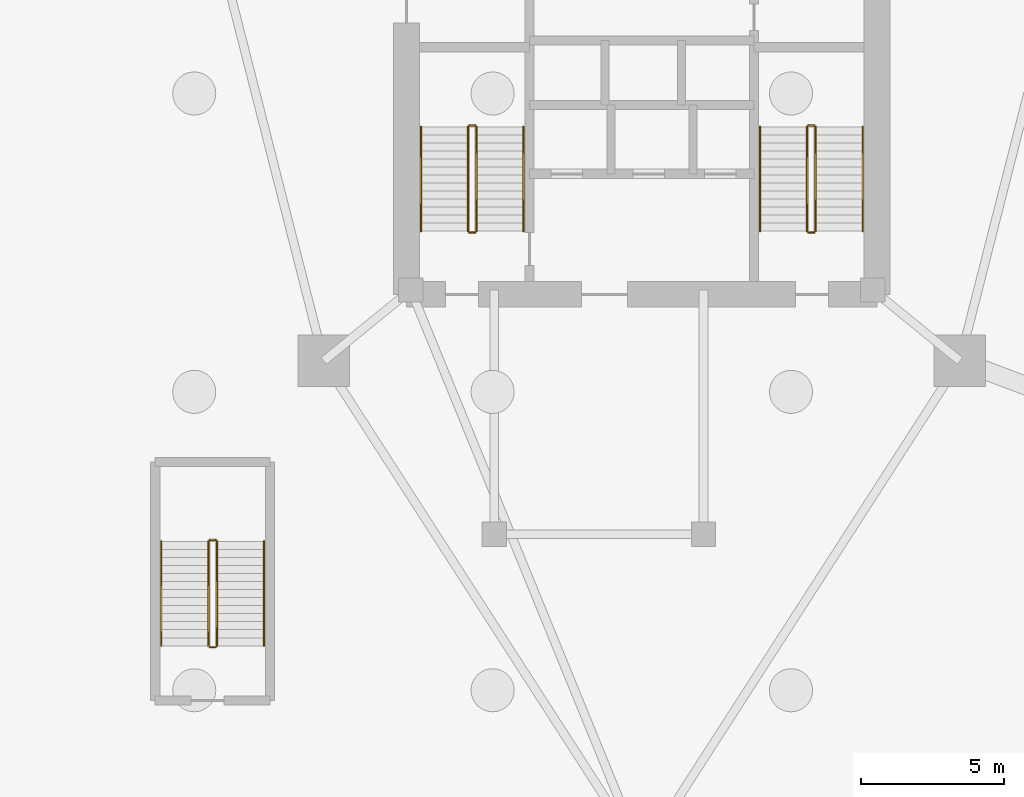
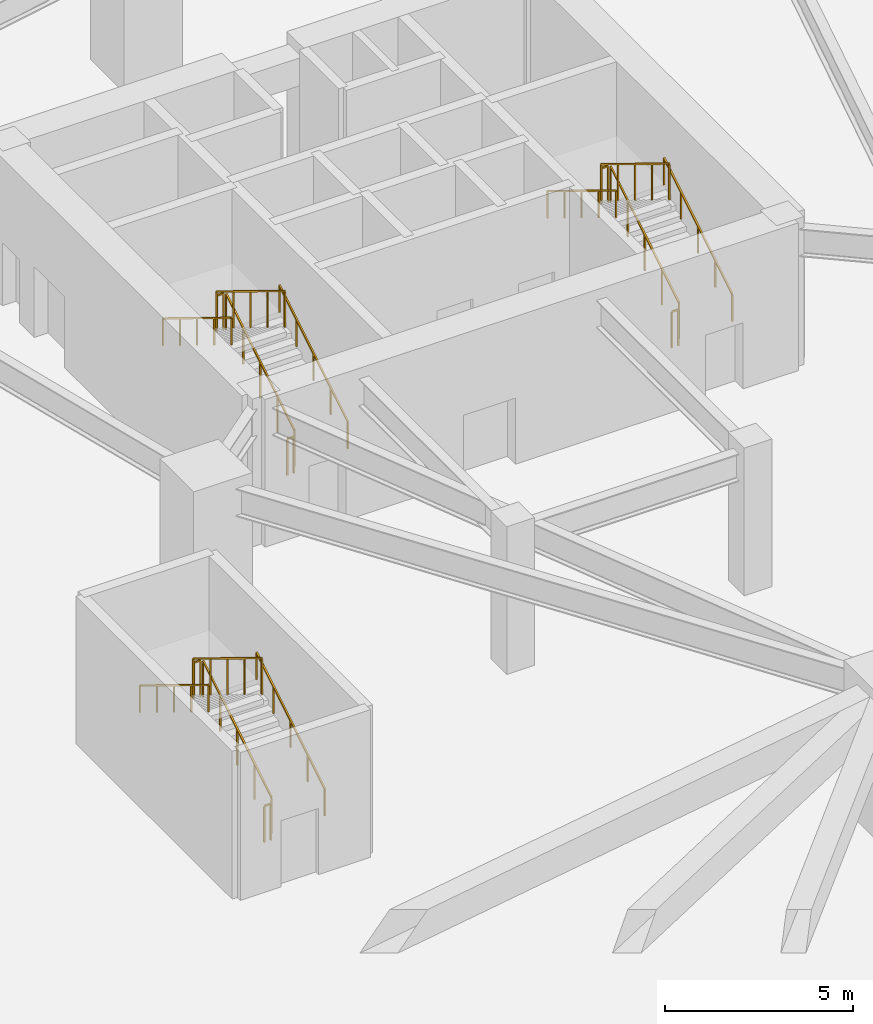
# One storey, part 5 of 5: 18 railings.
"""IFC4 building model written with IfcOpenShell, lengths in metres."""

from ifc_helpers import new_model, si_unit, direction, frame, origin, origin_2d, place, context, subcontext, project, spatial, rectangle, extrude, material, type_object, element, save


model = new_model("IFC4")

# Units and contexts
model_context = context("Model", 3, precision=1e-05, world=origin(), true_north=direction((0.0, 1.0)))
body_context = subcontext(model_context, "Body", "Model", "MODEL_VIEW")
ifc_project = project(units=[si_unit("LENGTHUNIT", "METRE"), si_unit("AREAUNIT", "SQUARE_METRE"), si_unit("VOLUMEUNIT", "CUBIC_METRE"), si_unit("PLANEANGLEUNIT", "RADIAN"), si_unit("MASSUNIT", "GRAM", prefix="KILO")], contexts=[model_context])

# Site, building, storey
site_placement = place(None, origin())
site = spatial("IfcSite", under=ifc_project, at=site_placement, CompositionType="ELEMENT")
building_placement = place(site_placement, origin())
building = spatial("IfcBuilding", under=site, at=building_placement, Name="Talyreon Biosciences Tower", CompositionType="ELEMENT")
storey_placement = place(building_placement, frame((0.0, 0.0, -9.60009765625)))
storey = spatial("IfcBuildingStorey", under=building, at=storey_placement, Name="B2", CompositionType="ELEMENT", Elevation=-9.60009765625)

# Railings
ifc_material_1 = material(Name="Brushed stainless-steel tubular handrail", Category="steel")
railing_type_1 = type_object("IfcRailingType", Name="StairWallHandrail_900", PredefinedType="HANDRAIL", material=ifc_material_1)
railing_1_placement = place(storey_placement, frame((61.8798828125, 63.39990234375, 0.171630859375)))
element("IfcRailing", 1, at=railing_1_placement, inside=storey, type_object=railing_type_1, Name="B2 ST-1 stair handrail 1", PredefinedType="HANDRAIL", context=body_context, shape_type="SweptSolid", body=[
    extrude(rectangle(XDim=0.048095703125, YDim=0.048095703125, at=origin_2d()), frame((0.0, 0.0, 0.8759765625), z_axis=(0.0, 0.852865859571, 0.52213008492), x_axis=(-1.0, 0.0, 0.0)), (0.0, 0.0, 1.0), 4.26806640625),
    extrude(rectangle(XDim=0.0419921875, YDim=0.0419921875, at=origin_2d()), origin(), (0.0, 0.0, 1.0), 0.851806640625),
    extrude(rectangle(XDim=0.0419921875, YDim=0.0419921875, at=origin_2d()), frame((0.0, 0.91015625, 0.55712890625)), (0.0, 0.0, 1.0), 0.851806640625),
    extrude(rectangle(XDim=0.0419921875, YDim=0.0419921875, at=origin_2d()), frame((0.0, 1.820068359375, 1.1142578125)), (0.0, 0.0, 1.0), 0.851806640625),
    extrude(rectangle(XDim=0.0419921875, YDim=0.0419921875, at=origin_2d()), frame((0.0, 2.72998046875, 1.67138671875)), (0.0, 0.0, 1.0), 0.851806640625),
    extrude(rectangle(XDim=0.0419921875, YDim=0.0419921875, at=origin_2d()), frame((0.0, 3.64013671875, 2.228515625)), (0.0, 0.0, 1.0), 0.851806640625),
])
railing_2_placement = place(storey_placement, frame((58.300048828125, 67.0400390625, 2.571533203125)))
element("IfcRailing", 2, at=railing_2_placement, inside=storey, type_object=railing_type_1, Name="B2 ST-1 stair handrail 2", PredefinedType="HANDRAIL", context=body_context, shape_type="SweptSolid", body=[
    extrude(rectangle(XDim=0.048095703125, YDim=0.048095703125, at=origin_2d()), frame((0.0, 0.0, 0.8759765625), z_axis=(0.0, -0.852865859571, 0.52213008492), x_axis=(1.0, 0.0, 0.0)), (0.0, 0.0, 1.0), 4.26806640625),
    extrude(rectangle(XDim=0.0419921875, YDim=0.0419921875, at=origin_2d()), origin(), (0.0, 0.0, 1.0), 0.851806640625),
    extrude(rectangle(XDim=0.0419921875, YDim=0.0419921875, at=origin_2d()), frame((0.0, -0.91015625, 0.55712890625)), (0.0, 0.0, 1.0), 0.851806640625),
    extrude(rectangle(XDim=0.0419921875, YDim=0.0419921875, at=origin_2d()), frame((0.0, -1.820068359375, 1.1142578125)), (0.0, 0.0, 1.0), 0.851806640625),
    extrude(rectangle(XDim=0.0419921875, YDim=0.0419921875, at=origin_2d()), frame((0.0, -2.72998046875, 1.67138671875)), (0.0, 0.0, 1.0), 0.851806640625),
    extrude(rectangle(XDim=0.0419921875, YDim=0.0419921875, at=origin_2d()), frame((0.0, -3.64013671875, 2.228515625)), (0.0, 0.0, 1.0), 0.851806640625),
])
railing_3_placement = place(storey_placement, frame((73.699951171875, 63.39990234375, 0.171630859375)))
element("IfcRailing", 3, at=railing_3_placement, inside=storey, type_object=railing_type_1, Name="B2 ST-2 stair handrail 1", PredefinedType="HANDRAIL", context=body_context, shape_type="SweptSolid", body=[
    extrude(rectangle(XDim=0.048095703125, YDim=0.048095703125, at=origin_2d()), frame((0.0, 0.0, 0.8759765625), z_axis=(0.0, 0.852865859571, 0.52213008492), x_axis=(-1.0, 0.0, 0.0)), (0.0, 0.0, 1.0), 4.26806640625),
    extrude(rectangle(XDim=0.0419921875, YDim=0.0419921875, at=origin_2d()), origin(), (0.0, 0.0, 1.0), 0.851806640625),
    extrude(rectangle(XDim=0.0419921875, YDim=0.0419921875, at=origin_2d()), frame((0.0, 0.91015625, 0.55712890625)), (0.0, 0.0, 1.0), 0.851806640625),
    extrude(rectangle(XDim=0.0419921875, YDim=0.0419921875, at=origin_2d()), frame((0.0, 1.820068359375, 1.1142578125)), (0.0, 0.0, 1.0), 0.851806640625),
    extrude(rectangle(XDim=0.0419921875, YDim=0.0419921875, at=origin_2d()), frame((0.0, 2.72998046875, 1.67138671875)), (0.0, 0.0, 1.0), 0.851806640625),
    extrude(rectangle(XDim=0.0419921875, YDim=0.0419921875, at=origin_2d()), frame((0.0, 3.64013671875, 2.228515625)), (0.0, 0.0, 1.0), 0.851806640625),
])
railing_4_placement = place(storey_placement, frame((70.1201171875, 67.0400390625, 2.571533203125)))
element("IfcRailing", 4, at=railing_4_placement, inside=storey, type_object=railing_type_1, Name="B2 ST-2 stair handrail 2", PredefinedType="HANDRAIL", context=body_context, shape_type="SweptSolid", body=[
    extrude(rectangle(XDim=0.048095703125, YDim=0.048095703125, at=origin_2d()), frame((0.0, 0.0, 0.8759765625), z_axis=(0.0, -0.852865859571, 0.52213008492), x_axis=(1.0, 0.0, 0.0)), (0.0, 0.0, 1.0), 4.26806640625),
    extrude(rectangle(XDim=0.0419921875, YDim=0.0419921875, at=origin_2d()), origin(), (0.0, 0.0, 1.0), 0.851806640625),
    extrude(rectangle(XDim=0.0419921875, YDim=0.0419921875, at=origin_2d()), frame((0.0, -0.91015625, 0.55712890625)), (0.0, 0.0, 1.0), 0.851806640625),
    extrude(rectangle(XDim=0.0419921875, YDim=0.0419921875, at=origin_2d()), frame((0.0, -1.820068359375, 1.1142578125)), (0.0, 0.0, 1.0), 0.851806640625),
    extrude(rectangle(XDim=0.0419921875, YDim=0.0419921875, at=origin_2d()), frame((0.0, -2.72998046875, 1.67138671875)), (0.0, 0.0, 1.0), 0.851806640625),
    extrude(rectangle(XDim=0.0419921875, YDim=0.0419921875, at=origin_2d()), frame((0.0, -3.64013671875, 2.228515625)), (0.0, 0.0, 1.0), 0.851806640625),
])
railing_5_placement = place(storey_placement, frame((52.830078125, 48.949951171875, 0.171630859375)))
element("IfcRailing", 5, at=railing_5_placement, inside=storey, type_object=railing_type_1, Name="B2 ST-3 stair handrail 1", PredefinedType="HANDRAIL", context=body_context, shape_type="SweptSolid", body=[
    extrude(rectangle(XDim=0.048095703125, YDim=0.048095703125, at=origin_2d()), frame((0.0, 0.0, 0.8759765625), z_axis=(0.0, 0.852865859571, 0.52213008492), x_axis=(-1.0, 0.0, 0.0)), (0.0, 0.0, 1.0), 4.26806640625),
    extrude(rectangle(XDim=0.0419921875, YDim=0.0419921875, at=origin_2d()), origin(), (0.0, 0.0, 1.0), 0.851806640625),
    extrude(rectangle(XDim=0.0419921875, YDim=0.0419921875, at=origin_2d()), frame((0.0, 0.91015625, 0.55712890625)), (0.0, 0.0, 1.0), 0.851806640625),
    extrude(rectangle(XDim=0.0419921875, YDim=0.0419921875, at=origin_2d()), frame((0.0, 1.820068359375, 1.1142578125)), (0.0, 0.0, 1.0), 0.851806640625),
    extrude(rectangle(XDim=0.0419921875, YDim=0.0419921875, at=origin_2d()), frame((0.0, 2.72998046875, 1.67138671875)), (0.0, 0.0, 1.0), 0.851806640625),
    extrude(rectangle(XDim=0.0419921875, YDim=0.0419921875, at=origin_2d()), frame((0.0, 3.64013671875, 2.228515625)), (0.0, 0.0, 1.0), 0.851806640625),
])
railing_6_placement = place(storey_placement, frame((49.25, 52.590087890625, 2.571533203125)))
element("IfcRailing", 6, at=railing_6_placement, inside=storey, type_object=railing_type_1, Name="B2 ST-3 stair handrail 2", PredefinedType="HANDRAIL", context=body_context, shape_type="SweptSolid", body=[
    extrude(rectangle(XDim=0.048095703125, YDim=0.048095703125, at=origin_2d()), frame((0.0, 0.0, 0.8759765625), z_axis=(0.0, -0.852865859571, 0.52213008492), x_axis=(1.0, 0.0, 0.0)), (0.0, 0.0, 1.0), 4.26806640625),
    extrude(rectangle(XDim=0.0419921875, YDim=0.0419921875, at=origin_2d()), origin(), (0.0, 0.0, 1.0), 0.851806640625),
    extrude(rectangle(XDim=0.0419921875, YDim=0.0419921875, at=origin_2d()), frame((0.0, -0.91015625, 0.55712890625)), (0.0, 0.0, 1.0), 0.851806640625),
    extrude(rectangle(XDim=0.0419921875, YDim=0.0419921875, at=origin_2d()), frame((0.0, -1.820068359375, 1.1142578125)), (0.0, 0.0, 1.0), 0.851806640625),
    extrude(rectangle(XDim=0.0419921875, YDim=0.0419921875, at=origin_2d()), frame((0.0, -2.72998046875, 1.67138671875)), (0.0, 0.0, 1.0), 0.851806640625),
    extrude(rectangle(XDim=0.0419921875, YDim=0.0419921875, at=origin_2d()), frame((0.0, -3.64013671875, 2.228515625)), (0.0, 0.0, 1.0), 0.851806640625),
])
ifc_material_2 = material(Name="Painted galvanised steel post-and-rail balustrade", Category="steel")
railing_type_2 = type_object("IfcRailingType", Name="TerraceStairGuard_1200", PredefinedType="GUARDRAIL", material=ifc_material_2)
railing_7_placement = place(storey_placement, frame((60.239990234375, 63.39990234375, 0.171630859375)))
element("IfcRailing", 7, at=railing_7_placement, inside=storey, type_object=railing_type_2, Name="B2 ST-1 stair guard 1", PredefinedType="GUARDRAIL", context=body_context, shape_type="SweptSolid", body=[
    extrude(rectangle(XDim=0.048095703125, YDim=0.048095703125, at=origin_2d()), frame((0.0, 0.0, 1.17578125), z_axis=(0.0, 0.852865859571, 0.52213008492), x_axis=(-1.0, 0.0, 0.0)), (0.0, 0.0, 1.0), 4.26806640625),
    extrude(rectangle(XDim=0.0419921875, YDim=0.0419921875, at=origin_2d()), origin(), (0.0, 0.0, 1.0), 1.15185546875),
    extrude(rectangle(XDim=0.0419921875, YDim=0.0419921875, at=origin_2d()), frame((0.0, 0.91015625, 0.55712890625)), (0.0, 0.0, 1.0), 1.15185546875),
    extrude(rectangle(XDim=0.0419921875, YDim=0.0419921875, at=origin_2d()), frame((0.0, 1.820068359375, 1.1142578125)), (0.0, 0.0, 1.0), 1.15185546875),
    extrude(rectangle(XDim=0.0419921875, YDim=0.0419921875, at=origin_2d()), frame((0.0, 2.72998046875, 1.67138671875)), (0.0, 0.0, 1.0), 1.15185546875),
    extrude(rectangle(XDim=0.0419921875, YDim=0.0419921875, at=origin_2d()), frame((0.0, 3.64013671875, 2.228515625)), (0.0, 0.0, 1.0), 1.15185546875),
])
railing_8_placement = place(storey_placement, frame((60.18994140625, 67.090087890625, 2.400146484375)))
element("IfcRailing", 8, at=railing_8_placement, inside=storey, type_object=railing_type_2, Name="B2 ST-1 stair guard 2", PredefinedType="GUARDRAIL", context=body_context, shape_type="SweptSolid", body=[
    extrude(rectangle(XDim=0.048095703125, YDim=0.048095703125, at=origin_2d()), frame((0.0, 0.0, 1.17578125), z_axis=(-1.0, 0.0, 0.0), x_axis=(0.0, -1.0, 0.0)), (0.0, 0.0, 1.0), 0.199951171875),
    extrude(rectangle(XDim=0.0419921875, YDim=0.0419921875, at=origin_2d()), origin(), (0.0, 0.0, 1.0), 1.15185546875),
    extrude(rectangle(XDim=0.0419921875, YDim=0.0419921875, at=origin_2d()), frame((-0.199951171875, 0.0, 0.0)), (0.0, 0.0, 1.0), 1.15185546875),
])
railing_9_placement = place(storey_placement, frame((59.93994140625, 67.0400390625, 2.571533203125)))
element("IfcRailing", 9, at=railing_9_placement, inside=storey, type_object=railing_type_2, Name="B2 ST-1 stair guard 3", PredefinedType="GUARDRAIL", context=body_context, shape_type="SweptSolid", body=[
    extrude(rectangle(XDim=0.048095703125, YDim=0.048095703125, at=origin_2d()), frame((0.0, 0.0, 1.17578125), z_axis=(0.0, -0.852865859571, 0.52213008492), x_axis=(1.0, 0.0, 0.0)), (0.0, 0.0, 1.0), 4.26806640625),
    extrude(rectangle(XDim=0.0419921875, YDim=0.0419921875, at=origin_2d()), origin(), (0.0, 0.0, 1.0), 1.15185546875),
    extrude(rectangle(XDim=0.0419921875, YDim=0.0419921875, at=origin_2d()), frame((0.0, -0.91015625, 0.55712890625)), (0.0, 0.0, 1.0), 1.15185546875),
    extrude(rectangle(XDim=0.0419921875, YDim=0.0419921875, at=origin_2d()), frame((0.0, -1.820068359375, 1.1142578125)), (0.0, 0.0, 1.0), 1.15185546875),
    extrude(rectangle(XDim=0.0419921875, YDim=0.0419921875, at=origin_2d()), frame((0.0, -2.72998046875, 1.67138671875)), (0.0, 0.0, 1.0), 1.15185546875),
    extrude(rectangle(XDim=0.0419921875, YDim=0.0419921875, at=origin_2d()), frame((0.0, -3.64013671875, 2.228515625)), (0.0, 0.0, 1.0), 1.15185546875),
])
railing_10_placement = place(storey_placement, frame((60.18994140625, 63.35009765625, 0.0)))
element("IfcRailing", 10, at=railing_10_placement, inside=storey, type_object=railing_type_2, Name="B2 ST-1 stair guard 4", PredefinedType="GUARDRAIL", context=body_context, shape_type="SweptSolid", body=[
    extrude(rectangle(XDim=0.048095703125, YDim=0.048095703125, at=origin_2d()), frame((0.0, 0.0, 1.17578125), z_axis=(-1.0, 0.0, 0.0), x_axis=(0.0, -1.0, 0.0)), (0.0, 0.0, 1.0), 0.199951171875),
    extrude(rectangle(XDim=0.0419921875, YDim=0.0419921875, at=origin_2d()), origin(), (0.0, 0.0, 1.0), 1.15185546875),
    extrude(rectangle(XDim=0.0419921875, YDim=0.0419921875, at=origin_2d()), frame((-0.199951171875, 0.0, 0.0)), (0.0, 0.0, 1.0), 1.15185546875),
])
railing_11_placement = place(storey_placement, frame((72.06005859375, 63.39990234375, 0.171630859375)))
element("IfcRailing", 11, at=railing_11_placement, inside=storey, type_object=railing_type_2, Name="B2 ST-2 stair guard 1", PredefinedType="GUARDRAIL", context=body_context, shape_type="SweptSolid", body=[
    extrude(rectangle(XDim=0.048095703125, YDim=0.048095703125, at=origin_2d()), frame((0.0, 0.0, 1.17578125), z_axis=(0.0, 0.852865859571, 0.52213008492), x_axis=(-1.0, 0.0, 0.0)), (0.0, 0.0, 1.0), 4.26806640625),
    extrude(rectangle(XDim=0.0419921875, YDim=0.0419921875, at=origin_2d()), origin(), (0.0, 0.0, 1.0), 1.15185546875),
    extrude(rectangle(XDim=0.0419921875, YDim=0.0419921875, at=origin_2d()), frame((0.0, 0.91015625, 0.55712890625)), (0.0, 0.0, 1.0), 1.15185546875),
    extrude(rectangle(XDim=0.0419921875, YDim=0.0419921875, at=origin_2d()), frame((0.0, 1.820068359375, 1.1142578125)), (0.0, 0.0, 1.0), 1.15185546875),
    extrude(rectangle(XDim=0.0419921875, YDim=0.0419921875, at=origin_2d()), frame((0.0, 2.72998046875, 1.67138671875)), (0.0, 0.0, 1.0), 1.15185546875),
    extrude(rectangle(XDim=0.0419921875, YDim=0.0419921875, at=origin_2d()), frame((0.0, 3.64013671875, 2.228515625)), (0.0, 0.0, 1.0), 1.15185546875),
])
railing_12_placement = place(storey_placement, frame((72.010009765625, 67.090087890625, 2.400146484375)))
element("IfcRailing", 12, at=railing_12_placement, inside=storey, type_object=railing_type_2, Name="B2 ST-2 stair guard 2", PredefinedType="GUARDRAIL", context=body_context, shape_type="SweptSolid", body=[
    extrude(rectangle(XDim=0.048095703125, YDim=0.048095703125, at=origin_2d()), frame((0.0, 0.0, 1.17578125), z_axis=(-1.0, 0.0, 0.0), x_axis=(0.0, -1.0, 0.0)), (0.0, 0.0, 1.0), 0.199951171875),
    extrude(rectangle(XDim=0.0419921875, YDim=0.0419921875, at=origin_2d()), origin(), (0.0, 0.0, 1.0), 1.15185546875),
    extrude(rectangle(XDim=0.0419921875, YDim=0.0419921875, at=origin_2d()), frame((-0.199951171875, 0.0, 0.0)), (0.0, 0.0, 1.0), 1.15185546875),
])
railing_13_placement = place(storey_placement, frame((71.760009765625, 67.0400390625, 2.571533203125)))
element("IfcRailing", 13, at=railing_13_placement, inside=storey, type_object=railing_type_2, Name="B2 ST-2 stair guard 3", PredefinedType="GUARDRAIL", context=body_context, shape_type="SweptSolid", body=[
    extrude(rectangle(XDim=0.048095703125, YDim=0.048095703125, at=origin_2d()), frame((0.0, 0.0, 1.17578125), z_axis=(0.0, -0.852865859571, 0.52213008492), x_axis=(1.0, 0.0, 0.0)), (0.0, 0.0, 1.0), 4.26806640625),
    extrude(rectangle(XDim=0.0419921875, YDim=0.0419921875, at=origin_2d()), origin(), (0.0, 0.0, 1.0), 1.15185546875),
    extrude(rectangle(XDim=0.0419921875, YDim=0.0419921875, at=origin_2d()), frame((0.0, -0.91015625, 0.55712890625)), (0.0, 0.0, 1.0), 1.15185546875),
    extrude(rectangle(XDim=0.0419921875, YDim=0.0419921875, at=origin_2d()), frame((0.0, -1.820068359375, 1.1142578125)), (0.0, 0.0, 1.0), 1.15185546875),
    extrude(rectangle(XDim=0.0419921875, YDim=0.0419921875, at=origin_2d()), frame((0.0, -2.72998046875, 1.67138671875)), (0.0, 0.0, 1.0), 1.15185546875),
    extrude(rectangle(XDim=0.0419921875, YDim=0.0419921875, at=origin_2d()), frame((0.0, -3.64013671875, 2.228515625)), (0.0, 0.0, 1.0), 1.15185546875),
])
railing_14_placement = place(storey_placement, frame((72.010009765625, 63.35009765625, 0.0)))
element("IfcRailing", 14, at=railing_14_placement, inside=storey, type_object=railing_type_2, Name="B2 ST-2 stair guard 4", PredefinedType="GUARDRAIL", context=body_context, shape_type="SweptSolid", body=[
    extrude(rectangle(XDim=0.048095703125, YDim=0.048095703125, at=origin_2d()), frame((0.0, 0.0, 1.17578125), z_axis=(-1.0, 0.0, 0.0), x_axis=(0.0, -1.0, 0.0)), (0.0, 0.0, 1.0), 0.199951171875),
    extrude(rectangle(XDim=0.0419921875, YDim=0.0419921875, at=origin_2d()), origin(), (0.0, 0.0, 1.0), 1.15185546875),
    extrude(rectangle(XDim=0.0419921875, YDim=0.0419921875, at=origin_2d()), frame((-0.199951171875, 0.0, 0.0)), (0.0, 0.0, 1.0), 1.15185546875),
])
railing_15_placement = place(storey_placement, frame((51.18994140625, 48.949951171875, 0.171630859375)))
element("IfcRailing", 15, at=railing_15_placement, inside=storey, type_object=railing_type_2, Name="B2 ST-3 stair guard 1", PredefinedType="GUARDRAIL", context=body_context, shape_type="SweptSolid", body=[
    extrude(rectangle(XDim=0.048095703125, YDim=0.048095703125, at=origin_2d()), frame((0.0, 0.0, 1.17578125), z_axis=(0.0, 0.852865859571, 0.52213008492), x_axis=(-1.0, 0.0, 0.0)), (0.0, 0.0, 1.0), 4.26806640625),
    extrude(rectangle(XDim=0.0419921875, YDim=0.0419921875, at=origin_2d()), origin(), (0.0, 0.0, 1.0), 1.15185546875),
    extrude(rectangle(XDim=0.0419921875, YDim=0.0419921875, at=origin_2d()), frame((0.0, 0.91015625, 0.55712890625)), (0.0, 0.0, 1.0), 1.15185546875),
    extrude(rectangle(XDim=0.0419921875, YDim=0.0419921875, at=origin_2d()), frame((0.0, 1.820068359375, 1.1142578125)), (0.0, 0.0, 1.0), 1.15185546875),
    extrude(rectangle(XDim=0.0419921875, YDim=0.0419921875, at=origin_2d()), frame((0.0, 2.72998046875, 1.67138671875)), (0.0, 0.0, 1.0), 1.15185546875),
    extrude(rectangle(XDim=0.0419921875, YDim=0.0419921875, at=origin_2d()), frame((0.0, 3.64013671875, 2.228515625)), (0.0, 0.0, 1.0), 1.15185546875),
])
railing_16_placement = place(storey_placement, frame((51.139892578125, 52.639892578125, 2.400146484375)))
element("IfcRailing", 16, at=railing_16_placement, inside=storey, type_object=railing_type_2, Name="B2 ST-3 stair guard 2", PredefinedType="GUARDRAIL", context=body_context, shape_type="SweptSolid", body=[
    extrude(rectangle(XDim=0.048095703125, YDim=0.048095703125, at=origin_2d()), frame((0.0, 0.0, 1.17578125), z_axis=(-1.0, 0.0, 0.0), x_axis=(0.0, -1.0, 0.0)), (0.0, 0.0, 1.0), 0.199951171875),
    extrude(rectangle(XDim=0.0419921875, YDim=0.0419921875, at=origin_2d()), origin(), (0.0, 0.0, 1.0), 1.15185546875),
    extrude(rectangle(XDim=0.0419921875, YDim=0.0419921875, at=origin_2d()), frame((-0.199951171875, 0.0, 0.0)), (0.0, 0.0, 1.0), 1.15185546875),
])
railing_17_placement = place(storey_placement, frame((50.889892578125, 52.590087890625, 2.571533203125)))
element("IfcRailing", 17, at=railing_17_placement, inside=storey, type_object=railing_type_2, Name="B2 ST-3 stair guard 3", PredefinedType="GUARDRAIL", context=body_context, shape_type="SweptSolid", body=[
    extrude(rectangle(XDim=0.048095703125, YDim=0.048095703125, at=origin_2d()), frame((0.0, 0.0, 1.17578125), z_axis=(0.0, -0.852865859571, 0.52213008492), x_axis=(1.0, 0.0, 0.0)), (0.0, 0.0, 1.0), 4.26806640625),
    extrude(rectangle(XDim=0.0419921875, YDim=0.0419921875, at=origin_2d()), origin(), (0.0, 0.0, 1.0), 1.15185546875),
    extrude(rectangle(XDim=0.0419921875, YDim=0.0419921875, at=origin_2d()), frame((0.0, -0.91015625, 0.55712890625)), (0.0, 0.0, 1.0), 1.15185546875),
    extrude(rectangle(XDim=0.0419921875, YDim=0.0419921875, at=origin_2d()), frame((0.0, -1.820068359375, 1.1142578125)), (0.0, 0.0, 1.0), 1.15185546875),
    extrude(rectangle(XDim=0.0419921875, YDim=0.0419921875, at=origin_2d()), frame((0.0, -2.72998046875, 1.67138671875)), (0.0, 0.0, 1.0), 1.15185546875),
    extrude(rectangle(XDim=0.0419921875, YDim=0.0419921875, at=origin_2d()), frame((0.0, -3.64013671875, 2.228515625)), (0.0, 0.0, 1.0), 1.15185546875),
])
railing_18_placement = place(storey_placement, frame((51.139892578125, 48.89990234375, 0.0)))
element("IfcRailing", 18, at=railing_18_placement, inside=storey, type_object=railing_type_2, Name="B2 ST-3 stair guard 4", PredefinedType="GUARDRAIL", context=body_context, shape_type="SweptSolid", body=[
    extrude(rectangle(XDim=0.048095703125, YDim=0.048095703125, at=origin_2d()), frame((0.0, 0.0, 1.17578125), z_axis=(-1.0, 0.0, 0.0), x_axis=(0.0, -1.0, 0.0)), (0.0, 0.0, 1.0), 0.199951171875),
    extrude(rectangle(XDim=0.0419921875, YDim=0.0419921875, at=origin_2d()), origin(), (0.0, 0.0, 1.0), 1.15185546875),
    extrude(rectangle(XDim=0.0419921875, YDim=0.0419921875, at=origin_2d()), frame((-0.199951171875, 0.0, 0.0)), (0.0, 0.0, 1.0), 1.15185546875),
])

save(model, "model.ifc")
